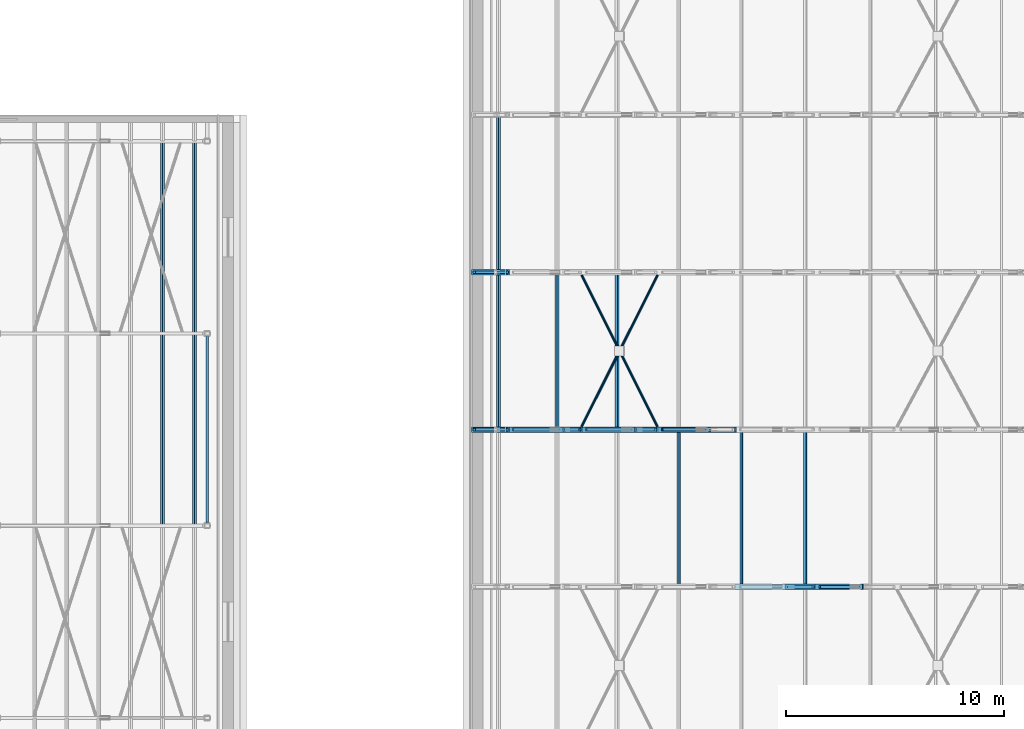
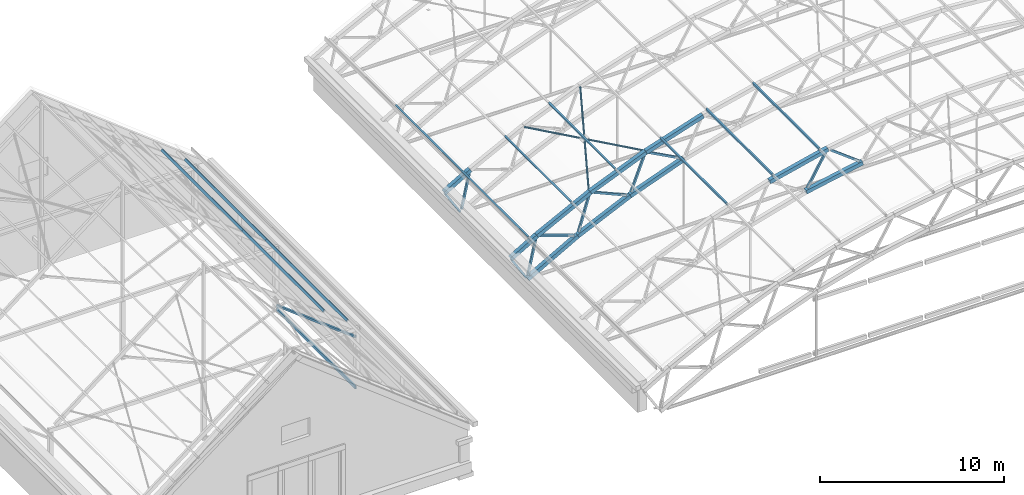
# One storey, part 40 of 127: 36 members, 1 beam.
"""IFC4 building model written with IfcOpenShell, lengths in metres."""

from ifc_helpers import new_model, si_unit, direction, frame, origin, origin_2d, place, context, subcontext, project, spatial, hollow_rectangle, hollow_circle, extrude, material, material_profile, profile_set, type_object, element, save


model = new_model("IFC4")

# Units and contexts
model_context = context("Model", 3, precision=1e-05, world=origin(), true_north=direction((0.0, 1.0)))
body_context = subcontext(model_context, "Body", "Model", "MODEL_VIEW")
ifc_project = project(units=[si_unit("LENGTHUNIT", "METRE"), si_unit("AREAUNIT", "SQUARE_METRE"), si_unit("VOLUMEUNIT", "CUBIC_METRE"), si_unit("PLANEANGLEUNIT", "RADIAN"), si_unit("MASSUNIT", "GRAM", prefix="KILO")], contexts=[model_context])

# Site, building, storey
site_placement = place(None, origin())
site = spatial("IfcSite", under=ifc_project, at=site_placement, CompositionType="ELEMENT")
building_placement = place(site_placement, origin())
building = spatial("IfcBuilding", under=site, at=building_placement, Name="Verrick Yard Athletic Hall", CompositionType="ELEMENT")
storey_placement = place(building_placement, frame((0.0, 0.0, 14.0)))
storey = spatial("IfcBuildingStorey", under=building, at=storey_placement, Name="L03", CompositionType="ELEMENT", Elevation=14.0)

# Members
ifc_material = material(Name="Structural steel HSS Class C 350W (CSA G40.20/G40.21)", Category="steel")
ifc_material_profile_1 = material_profile(ifc_material, hollow_rectangle(XDim=0.25390625, YDim=0.25390625, WallThickness=0.009521484375, at=origin_2d()), Name="HSS254x254x9.5")
ifc_profile_set_1 = profile_set([ifc_material_profile_1], Name="Structural steel HSS Class C 350W (CSA G40.20/G40.21)")
member_type_1 = type_object("IfcMemberType", Name="HB bottom chord HSS254x254x9.5", PredefinedType="CHORD", material=ifc_profile_set_1)
member_1_placement = place(storey_placement, frame((134.883544921875, 79.199951171875, 5.4912109375), z_axis=(0.980846119722, 0.0, 0.194784212465), x_axis=(0.0, 1.0, 0.0)))
element("IfcMember", 1, at=member_1_placement, inside=storey, type_object=member_type_1, Name="Truss TA2 bottom chord 5", PredefinedType="CHORD", context=body_context, shape_type="SweptSolid", body=[
    extrude(hollow_rectangle(XDim=0.25390625, YDim=0.25390625, WallThickness=0.009521484375, at=origin_2d()), origin(), (0.0, 0.0, 1.0), 3.595947265625),
])
member_2_placement = place(storey_placement, frame((121.60009765625, 86.39990234375, 0.0), z_axis=(0.872881488331, 0.0, 0.4879322774), x_axis=(0.0, 1.0, 0.0)))
element("IfcMember", 2, at=member_2_placement, inside=storey, type_object=member_type_1, Name="Truss TA3 bottom chord 1", PredefinedType="CHORD", context=body_context, shape_type="SweptSolid", body=[
    extrude(hollow_rectangle(XDim=0.25390625, YDim=0.25390625, WallThickness=0.009521484375, at=origin_2d()), origin(), (0.0, 0.0, 1.0), 3.60107421875),
])
member_3_placement = place(storey_placement, frame((124.752197265625, 86.39990234375, 1.761474609375), z_axis=(0.908445597889, 0.0, 0.418003104865), x_axis=(0.0, 1.0, 0.0)))
element("IfcMember", 3, at=member_3_placement, inside=storey, type_object=member_type_1, Name="Truss TA3 bottom chord 2", PredefinedType="CHORD", context=body_context, shape_type="SweptSolid", body=[
    extrude(hollow_rectangle(XDim=0.25390625, YDim=0.25390625, WallThickness=0.009521484375, at=origin_2d()), origin(), (0.0, 0.0, 1.0), 3.59619140625),
])
member_4_placement = place(storey_placement, frame((128.0283203125, 86.39990234375, 3.2685546875), z_axis=(0.938394107905, 0.0, 0.345566922966), x_axis=(0.0, 1.0, 0.0)))
element("IfcMember", 4, at=member_4_placement, inside=storey, type_object=member_type_1, Name="Truss TA3 bottom chord 3", PredefinedType="CHORD", context=body_context, shape_type="SweptSolid", body=[
    extrude(hollow_rectangle(XDim=0.25390625, YDim=0.25390625, WallThickness=0.009521484375, at=origin_2d()), origin(), (0.0, 0.0, 1.0), 3.595947265625),
])

# Beam
ifc_material_profile_2 = material_profile(ifc_material, hollow_rectangle(XDim=0.1015625, YDim=0.203125, WallThickness=0.009521484375, at=origin_2d()), Name="HSS203x102x9.5")
ifc_profile_set_2 = profile_set([ifc_material_profile_2], Name="Structural steel HSS Class C 350W (CSA G40.20/G40.21)")
beam_type = type_object("IfcBeamType", Name="HB eaves girt HSS203x102x9.5", PredefinedType="BEAM", material=ifc_profile_set_2)
beam_placement = place(storey_placement, frame((108.39990234375, 82.126953125, 0.0), z_axis=(0.0, 1.0, 0.0), x_axis=(-1.0, 0.0, 0.0)))
element("IfcBeam", 5, at=beam_placement, inside=storey, type_object=beam_type, Name="HB-GT-CE-L03", PredefinedType="BEAM", context=body_context, shape_type="SweptSolid", body=[
    extrude(hollow_rectangle(XDim=0.1015625, YDim=0.203125, WallThickness=0.009521484375, at=origin_2d()), origin(), (0.0, 0.0, 1.0), 8.546142578125),
])

# Members
ifc_material_profile_3 = material_profile(ifc_material, hollow_rectangle(XDim=0.1015625, YDim=0.203125, WallThickness=0.009521484375, at=origin_2d()), Name="HSS203x102x9.5")
ifc_profile_set_3 = profile_set([ifc_material_profile_3], Name="Structural steel HSS Class C 350W (CSA G40.20/G40.21)")
member_type_2 = type_object("IfcMemberType", Name="HB purlin HSS203x102x9.5", PredefinedType="PURLIN", material=ifc_profile_set_3)
for number, where, z_axis, x_axis, name in (
    (6, (129.98095703125, 79.199951171875, 6.3544921875), (0.0, 1.0, 0.0), (-0.951213620533, 0.0, -0.308533058379), "HB-PU-A-2-4"),
    (7, (132.858642578125, 79.199951171875, 7.260009765625), (0.0, 1.0, 0.0), (-0.972458956474, 0.0, -0.23307418985), "HB-PU-A-2-5"),
    (8, (135.776123046875, 79.199951171875, 7.959228515625), (0.0, 1.0, 0.0), (-0.972458956474, 0.0, -0.23307418985), "HB-PU-A-2-6"),
):
    element("IfcMember", number, at=place(storey_placement, frame(where, z_axis=z_axis, x_axis=x_axis)), inside=storey, type_object=member_type_2, Name=name, PredefinedType="PURLIN", context=body_context, shape_type="SweptSolid", body=[
        extrude(hollow_rectangle(XDim=0.1015625, YDim=0.203125, WallThickness=0.009521484375, at=origin_2d()), origin(), (0.0, 0.0, 1.0), 7.199951171875),
    ])
for number, where, z_axis, x_axis, name in (
    (9, (121.73583984375, 86.39990234375, 2.660888671875), (0.0, 1.0, 0.0), (-0.86316809178, 0.0, -0.504916671673), "HB-PU-A-3-1"),
    (10, (124.410888671875, 86.39990234375, 4.046875), (0.0, 1.0, 0.0), (-0.891352741199, 0.0, -0.453310369126), "HB-PU-A-3-2"),
    (11, (127.162109375, 86.39990234375, 5.2822265625), (0.0, 1.0, 0.0), (-0.924122791552, 0.0, -0.382095624331), "HB-PU-A-3-3"),
):
    element("IfcMember", number, at=place(storey_placement, frame(where, z_axis=z_axis, x_axis=x_axis)), inside=storey, type_object=member_type_2, Name=name, PredefinedType="PURLIN", context=body_context, shape_type="SweptSolid", body=[
        extrude(hollow_rectangle(XDim=0.1015625, YDim=0.203125, WallThickness=0.009521484375, at=origin_2d()), origin(), (0.0, 0.0, 1.0), 7.2001953125),
    ])
member_5_placement = place(storey_placement, frame((121.73583984375, 93.60009765625, 2.660888671875), z_axis=(0.0, 1.0, 0.0), x_axis=(-0.86316809178, 0.0, -0.504916671673)))
element("IfcMember", 12, at=member_5_placement, inside=storey, type_object=member_type_2, Name="HB-PU-A-4-1", PredefinedType="PURLIN", context=body_context, shape_type="SweptSolid", body=[
    extrude(hollow_rectangle(XDim=0.1015625, YDim=0.203125, WallThickness=0.009521484375, at=origin_2d()), origin(), (0.0, 0.0, 1.0), 7.199951171875),
])
ifc_material_profile_4 = material_profile(ifc_material, hollow_circle(Radius=0.05712890625, WallThickness=0.00634765625, at=origin_2d()), Name="HSS114x6.4")
ifc_profile_set_4 = profile_set([ifc_material_profile_4], Name="Structural steel HSS Class C 350W (CSA G40.20/G40.21)")
member_type_3 = type_object("IfcMemberType", Name="HB roof brace HSS114x6.4", PredefinedType="BRACE", material=ifc_profile_set_4)
for number, where, z_axis, x_axis, name in (
    (13, (125.534912109375, 86.527099609375, 4.362060546875), (0.440175081997, 0.879270525212, 0.182014396913), (-0.894207487255, 0.447652733418, 0.0), "HB-BR-A-3-1b1"),
    (14, (127.31982421875, 90.0927734375, 5.10009765625), (0.440226283046, 0.879245944716, 0.182009308599), (-0.894181632682, 0.447704375424, 0.0), "HB-BR-A-3-1b2"),
):
    element("IfcMember", number, at=place(storey_placement, frame(where, z_axis=z_axis, x_axis=x_axis)), inside=storey, type_object=member_type_3, Name=name, PredefinedType="BRACE", context=body_context, shape_type="SweptSolid", body=[
        extrude(hollow_circle(Radius=0.05712890625, WallThickness=0.00634765625, at=origin_2d()), origin(), (0.0, 0.0, 1.0), 3.84423828125),
    ])
member_6_placement = place(storey_placement, frame((129.01220703125, 86.527099609375, 5.7998046875), z_axis=(-0.44018917699, 0.879265750569, -0.18200337452), x_axis=(-0.894200776115, -0.447666138988, 0.0)))
element("IfcMember", 15, at=member_6_placement, inside=storey, type_object=member_type_3, Name="HB-BR-A-3-1a", PredefinedType="BRACE", context=body_context, shape_type="SweptSolid", body=[
    extrude(hollow_circle(Radius=0.05712890625, WallThickness=0.00634765625, at=origin_2d()), origin(), (0.0, 0.0, 1.0), 7.899658203125),
])
ifc_material_profile_5 = material_profile(ifc_material, hollow_rectangle(XDim=0.1015625, YDim=0.15234375, WallThickness=0.008056640625, at=origin_2d()), Name="HSS152x102x7.9")
ifc_profile_set_5 = profile_set([ifc_material_profile_5], Name="Structural steel HSS Class C 350W (CSA G40.20/G40.21)")
member_type_4 = type_object("IfcMemberType", Name="HB roof purlin HSS152x102x7.9", PredefinedType="PURLIN", material=ifc_profile_set_5)
for number, where, z_axis, x_axis, name in (
    (16, (107.814453125, 82.0, 4.702392578125), (0.0, 1.0, 0.0), (-0.789352213638, 0.0, 0.613940618322), "HB-PU-C-E1-3"),
    (17, (107.814453125, 90.800048828125, 4.702392578125), (0.0, 1.0, 0.0), (-0.789352213638, 0.0, 0.613940618322), "HB-PU-C-E1-4"),
    (18, (106.35400390625, 82.0, 5.838134765625), (0.0, 1.0, 0.0), (-0.789352213638, 0.0, 0.613940618322), "HB-PU-C-E2-3"),
    (19, (106.35400390625, 90.800048828125, 5.838134765625), (0.0, 1.0, 0.0), (-0.789352213638, 0.0, 0.613940618322), "HB-PU-C-E2-4"),
):
    element("IfcMember", number, at=place(storey_placement, frame(where, z_axis=z_axis, x_axis=x_axis)), inside=storey, type_object=member_type_4, Name=name, PredefinedType="PURLIN", context=body_context, shape_type="SweptSolid", body=[
        extrude(hollow_rectangle(XDim=0.1015625, YDim=0.15234375, WallThickness=0.008056640625, at=origin_2d()), origin(), (0.0, 0.0, 1.0), 8.800048828125),
    ])
ifc_material_profile_6 = material_profile(ifc_material, hollow_rectangle(XDim=0.25390625, YDim=0.25390625, WallThickness=0.009521484375, at=origin_2d()), Name="HSS254x254x9.5")
ifc_profile_set_6 = profile_set([ifc_material_profile_6], Name="Structural steel HSS Class C 350W (CSA G40.20/G40.21)")
member_type_5 = type_object("IfcMemberType", Name="HB top chord HSS254x254x9.5", PredefinedType="CHORD", material=ifc_profile_set_6)
member_7_placement = place(storey_placement, frame((132.59619140625, 79.199951171875, 6.9619140625), z_axis=(0.972457525524, 0.0, 0.233080160141), x_axis=(0.0, 1.0, 0.0)))
element("IfcMember", 20, at=member_7_placement, inside=storey, type_object=member_type_5, Name="Truss TA2 top chord 5", PredefinedType="CHORD", context=body_context, shape_type="SweptSolid", body=[
    extrude(hollow_rectangle(XDim=0.25390625, YDim=0.25390625, WallThickness=0.009521484375, at=origin_2d()), origin(), (0.0, 0.0, 1.0), 3.7529296875),
])
member_8_placement = place(storey_placement, frame((120.556640625, 86.39990234375, 1.706298828125), z_axis=(0.863141630219, 0.0, 0.504961905674), x_axis=(0.0, 1.0, 0.0)))
element("IfcMember", 21, at=member_8_placement, inside=storey, type_object=member_type_5, Name="Truss TA3 top chord 1", PredefinedType="CHORD", context=body_context, shape_type="SweptSolid", body=[
    extrude(hollow_rectangle(XDim=0.25390625, YDim=0.25390625, WallThickness=0.009521484375, at=origin_2d()), origin(), (0.0, 0.0, 1.0), 1.8779296875),
])
member_9_placement = place(storey_placement, frame((122.18408203125, 86.39990234375, 2.657958984375), z_axis=(0.891336584454, 0.0, 0.453342137037), x_axis=(0.0, 1.0, 0.0)))
element("IfcMember", 22, at=member_9_placement, inside=storey, type_object=member_type_5, Name="Truss TA3 top chord 2", PredefinedType="CHORD", context=body_context, shape_type="SweptSolid", body=[
    extrude(hollow_rectangle(XDim=0.25390625, YDim=0.25390625, WallThickness=0.009521484375, at=origin_2d()), origin(), (0.0, 0.0, 1.0), 3.754150390625),
])
member_10_placement = place(storey_placement, frame((125.53955078125, 86.39990234375, 4.364013671875), z_axis=(0.924130129149, 0.0, 0.382077877402), x_axis=(0.0, 1.0, 0.0)))
element("IfcMember", 23, at=member_10_placement, inside=storey, type_object=member_type_5, Name="Truss TA3 top chord 3", PredefinedType="CHORD", context=body_context, shape_type="SweptSolid", body=[
    extrude(hollow_rectangle(XDim=0.25390625, YDim=0.25390625, WallThickness=0.009521484375, at=origin_2d()), origin(), (0.0, 0.0, 1.0), 3.752685546875),
])
member_11_placement = place(storey_placement, frame((129.016845703125, 86.39990234375, 5.80126953125), z_axis=(0.951208887206, 0.0, 0.308547650938), x_axis=(0.0, 1.0, 0.0)))
element("IfcMember", 24, at=member_11_placement, inside=storey, type_object=member_type_5, Name="Truss TA3 top chord 4", PredefinedType="CHORD", context=body_context, shape_type="SweptSolid", body=[
    extrude(hollow_rectangle(XDim=0.25390625, YDim=0.25390625, WallThickness=0.009521484375, at=origin_2d()), origin(), (0.0, 0.0, 1.0), 3.7529296875),
])
member_12_placement = place(storey_placement, frame((120.556640625, 93.60009765625, 1.706298828125), z_axis=(0.863141630219, 0.0, 0.504961905674), x_axis=(0.0, 1.0, 0.0)))
element("IfcMember", 25, at=member_12_placement, inside=storey, type_object=member_type_5, Name="Truss TA4 top chord 1", PredefinedType="CHORD", context=body_context, shape_type="SweptSolid", body=[
    extrude(hollow_rectangle(XDim=0.25390625, YDim=0.25390625, WallThickness=0.009521484375, at=origin_2d()), origin(), (0.0, 0.0, 1.0), 1.8779296875),
])
ifc_material_profile_7 = material_profile(ifc_material, hollow_rectangle(XDim=0.126953125, YDim=0.126953125, WallThickness=0.009521484375, at=origin_2d()), Name="HSS127x127x9.5")
ifc_profile_set_7 = profile_set([ifc_material_profile_7], Name="Structural steel HSS Class C 350W (CSA G40.20/G40.21)")
member_type_6 = type_object("IfcMemberType", Name="HB truss end post HSS127x127x9.5", PredefinedType="POST", material=ifc_profile_set_7)
for number, where, z_axis, x_axis, name in (
    (26, (121.532470703125, 86.39990234375, 0.110595703125), (-0.521773101112, 0.0, 0.853084304718), (0.0, -1.0, 0.0), "Truss TA3 end post 1"),
    (27, (121.532470703125, 93.60009765625, 0.110595703125), (-0.521773101112, 0.0, 0.853084304718), (0.0, -1.0, 0.0), "Truss TA4 end post 1"),
):
    element("IfcMember", number, at=place(storey_placement, frame(where, z_axis=z_axis, x_axis=x_axis)), inside=storey, type_object=member_type_6, Name=name, PredefinedType="POST", context=body_context, shape_type="SweptSolid", body=[
        extrude(hollow_rectangle(XDim=0.126953125, YDim=0.126953125, WallThickness=0.009521484375, at=origin_2d()), origin(), (0.0, 0.0, 1.0), 1.741943359375),
    ])
ifc_material_profile_8 = material_profile(ifc_material, hollow_rectangle(XDim=0.126953125, YDim=0.126953125, WallThickness=0.009521484375, at=origin_2d()), Name="HSS127x127x9.5")
ifc_profile_set_8 = profile_set([ifc_material_profile_8], Name="Structural steel HSS Class C 350W (CSA G40.20/G40.21)")
member_type_7 = type_object("IfcMemberType", Name="HB truss web HSS127x127x9.5", PredefinedType="BRACE", material=ifc_profile_set_8)
member_13_placement = place(storey_placement, frame((135.004150390625, 79.199951171875, 5.705078125), z_axis=(0.504543682156, 0.0, 0.86338616667), x_axis=(0.0, 1.0, 0.0)))
element("IfcMember", 28, at=member_13_placement, inside=storey, type_object=member_type_7, Name="Truss TA2 web 9", PredefinedType="BRACE", context=body_context, shape_type="SweptSolid", body=[
    extrude(hollow_rectangle(XDim=0.126953125, YDim=0.126953125, WallThickness=0.009521484375, at=origin_2d()), origin(), (0.0, 0.0, 1.0), 2.233642578125),
])
member_14_placement = place(storey_placement, frame((136.439208984375, 79.199951171875, 7.694580078125), z_axis=(0.796206425538, 0.0, -0.605025063887), x_axis=(0.0, 1.0, 0.0)))
element("IfcMember", 29, at=member_14_placement, inside=storey, type_object=member_type_7, Name="Truss TA2 web 10", PredefinedType="BRACE", context=body_context, shape_type="SweptSolid", body=[
    extrude(hollow_rectangle(XDim=0.126953125, YDim=0.126953125, WallThickness=0.009521484375, at=origin_2d()), origin(), (0.0, 0.0, 1.0), 2.2333984375),
])
member_15_placement = place(storey_placement, frame((121.648193359375, 86.39990234375, 0.220703125), z_axis=(0.213603528569, 0.0, 0.976920433087), x_axis=(0.0, 1.0, 0.0)))
element("IfcMember", 30, at=member_15_placement, inside=storey, type_object=member_type_7, Name="Truss end diagonal TA3-1", PredefinedType="BRACE", context=body_context, shape_type="SweptSolid", body=[
    extrude(hollow_rectangle(XDim=0.126953125, YDim=0.126953125, WallThickness=0.009521484375, at=origin_2d()), origin(), (0.0, 0.0, 1.0), 2.261962890625),
])
for number, where, z_axis, x_axis, name in (
    (31, (122.404296875, 86.39990234375, 2.578369140625), (0.944026930686, 0.0, -0.329868389118), (0.0, 1.0, 0.0), "Truss TA3 web 2"),
    (32, (124.81982421875, 86.39990234375, 1.99755859375), (0.289443070658, 0.0, 0.957195230268), (0.0, 1.0, 0.0), "Truss TA3 web 3"),
    (33, (125.75146484375, 86.39990234375, 4.2666015625), (0.915297302882, 0.0, -0.402778906272), (0.0, 1.0, 0.0), "Truss TA3 web 4"),
    (34, (128.114013671875, 86.39990234375, 3.49853515625), (0.363537858519, 0.0, 0.931579425183), (0.0, 1.0, 0.0), "Truss TA3 web 5"),
    (35, (129.220703125, 86.39990234375, 5.687744140625), (0.880926928438, 0.0, -0.473252307709), (0.0, 1.0, 0.0), "Truss TA3 web 6"),
):
    element("IfcMember", number, at=place(storey_placement, frame(where, z_axis=z_axis, x_axis=x_axis)), inside=storey, type_object=member_type_7, Name=name, PredefinedType="BRACE", context=body_context, shape_type="SweptSolid", body=[
        extrude(hollow_rectangle(XDim=0.126953125, YDim=0.126953125, WallThickness=0.009521484375, at=origin_2d()), origin(), (0.0, 0.0, 1.0), 2.233642578125),
    ])
member_16_placement = place(storey_placement, frame((121.648193359375, 93.60009765625, 0.220703125), z_axis=(0.213603528569, 0.0, 0.976920433087), x_axis=(0.0, 1.0, 0.0)))
element("IfcMember", 36, at=member_16_placement, inside=storey, type_object=member_type_7, Name="Truss end diagonal TA4-1", PredefinedType="BRACE", context=body_context, shape_type="SweptSolid", body=[
    extrude(hollow_rectangle(XDim=0.126953125, YDim=0.126953125, WallThickness=0.009521484375, at=origin_2d()), origin(), (0.0, 0.0, 1.0), 2.261962890625),
])
ifc_material_profile_9 = material_profile(ifc_material, hollow_rectangle(XDim=0.126953125, YDim=0.126953125, WallThickness=0.009521484375, at=origin_2d()), Name="HSS127x127x9.5")
ifc_profile_set_9 = profile_set([ifc_material_profile_9], Name="Structural steel HSS Class C 350W (CSA G40.20/G40.21)")
member_type_8 = type_object("IfcMemberType", Name="HB wall brace HSS127x127x9.5", PredefinedType="BRACE", material=ifc_profile_set_9)
member_17_placement = place(storey_placement, frame((108.39990234375, 82.148681640625, 3.3544921875), z_axis=(0.0, 0.939683873779, -0.342044174574), x_axis=(-1.0, 0.0, 0.0)))
element("IfcMember", 37, at=member_17_placement, inside=storey, type_object=member_type_8, Name="HB-BRW-CE-L03", PredefinedType="BRACE", context=body_context, shape_type="SweptSolid", body=[
    extrude(hollow_rectangle(XDim=0.126953125, YDim=0.126953125, WallThickness=0.009521484375, at=origin_2d()), origin(), (0.0, 0.0, 1.0), 9.04833984375),
])

save(model, "model.ifc")
